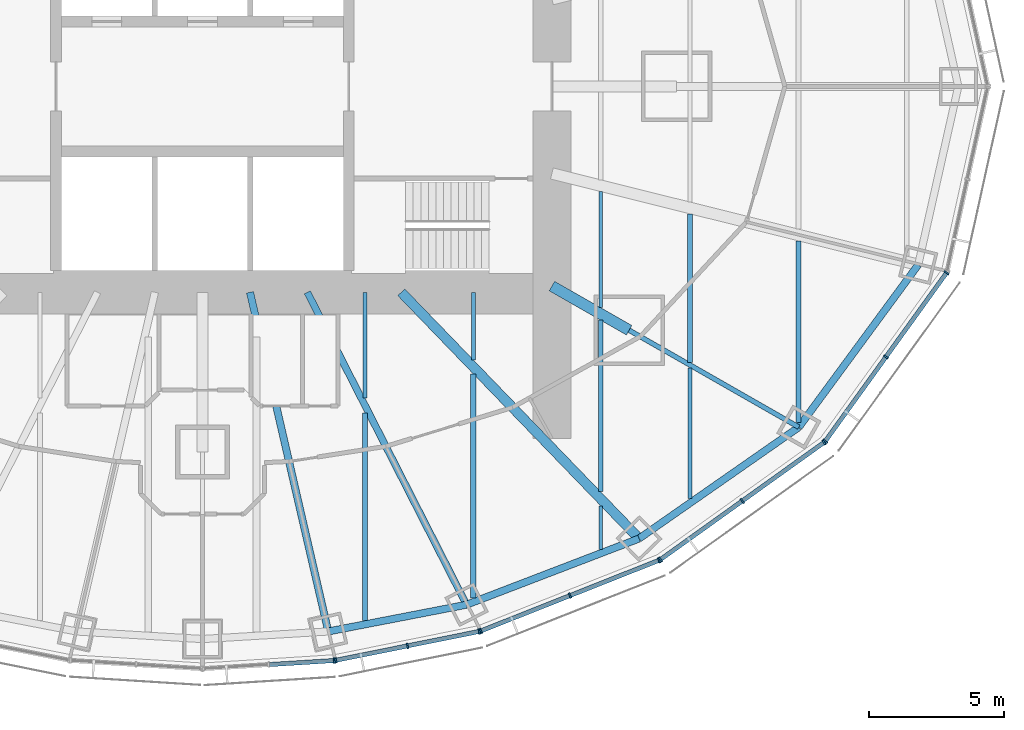
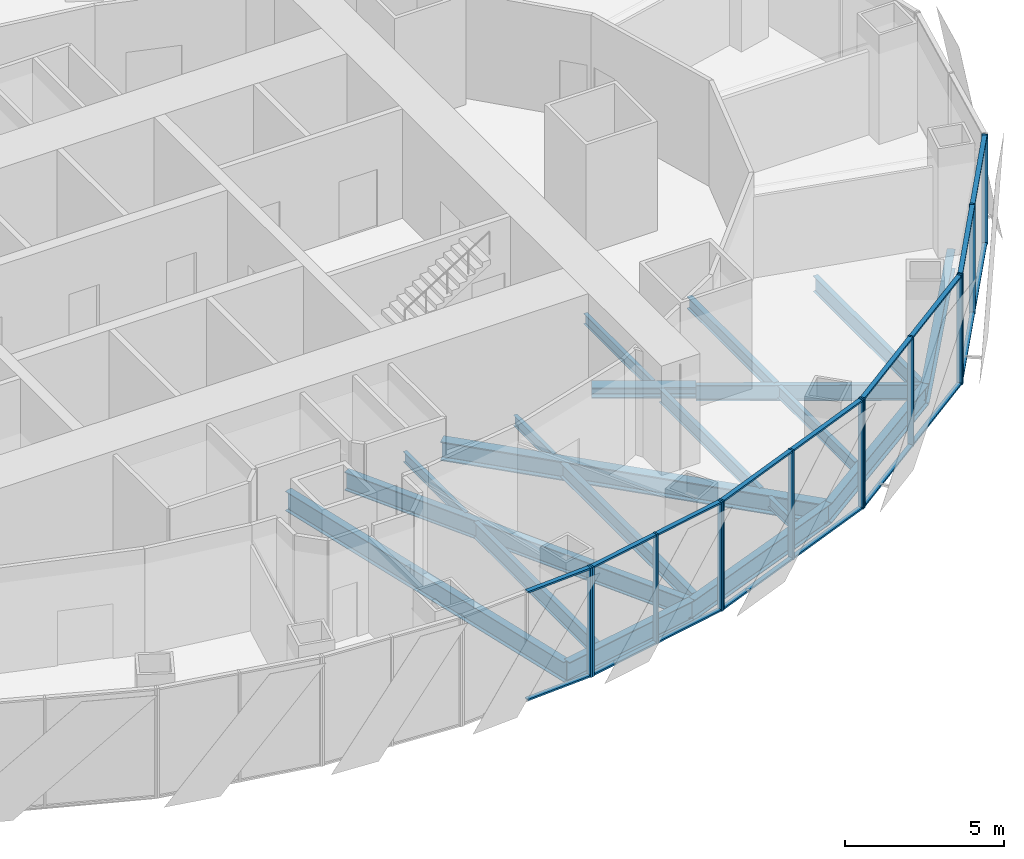
# One storey, part 5 of 17: 31 members, 19 beams, 5 elements without a shape of their own.
"""IFC4 building model written with IfcOpenShell, lengths in metres."""

from ifc_helpers import new_model, si_unit, direction, frame, origin, origin_2d, place, context, subcontext, project, spatial, rectangle, i_section, extrude, material, material_profile, profile_set, type_object, element, aggregate, save


model = new_model("IFC4")

# Units and contexts
model_context = context("Model", 3, precision=1e-05, world=origin(), true_north=direction((0.0, 1.0)))
body_context = subcontext(model_context, "Body", "Model", "MODEL_VIEW")
ifc_project = project(units=[si_unit("LENGTHUNIT", "METRE"), si_unit("AREAUNIT", "SQUARE_METRE"), si_unit("VOLUMEUNIT", "CUBIC_METRE"), si_unit("PLANEANGLEUNIT", "RADIAN"), si_unit("MASSUNIT", "GRAM", prefix="KILO")], contexts=[model_context])

# Site, building, storey
site_placement = place(None, origin())
site = spatial("IfcSite", under=ifc_project, at=site_placement, CompositionType="ELEMENT")
building_placement = place(site_placement, origin())
building = spatial("IfcBuilding", under=site, at=building_placement, Name="Lantaw Convention Tower", CompositionType="ELEMENT")
storey_placement = place(building_placement, frame((0.0, 0.0, 159.39990234375)))
storey = spatial("IfcBuildingStorey", under=building, at=storey_placement, Name="L37", CompositionType="ELEMENT", Elevation=159.39990234375)

# Beams
ifc_material_1 = material(Name="Steel ASTM A992", Category="steel")
ifc_material_profile_1 = material_profile(ifc_material_1, i_section(OverallWidth=0.2666015625, OverallDepth=0.76953125, WebThickness=0.015625, FlangeThickness=0.025390625, FilletRadius=0.0126953125, at=origin_2d()), Name="W30X132")
ifc_profile_set_1 = profile_set([ifc_material_profile_1], Name="Steel ASTM A992")
beam_type_1 = type_object("IfcBeamType", Name="Beam E W30X132", PredefinedType="SPANDREL", material=ifc_profile_set_1)
beam_1_placement = place(storey_placement, frame((4.64501953125, -20.1201171875, -0.53466796875), z_axis=(0.981796805654, 0.189934284446, 0.0), x_axis=(-0.189934284446, 0.981796805654, 0.0)))
element("IfcBeam", 1, at=beam_1_placement, inside=storey, type_object=beam_type_1, Name="Edge beam 20", PredefinedType="SPANDREL", context=body_context, shape_type="SweptSolid", body=[
    extrude(i_section(OverallWidth=0.2666015625, OverallDepth=0.76953125, WebThickness=0.015625, FlangeThickness=0.025390625, FilletRadius=0.0126953125, at=origin_2d()), origin(), (0.0, 0.0, 1.0), 5.1982421875),
])
beam_2_placement = place(storey_placement, frame((9.74853515625, -19.1328125, -0.53466796875), z_axis=(0.933691081977, 0.358079549033, 0.0), x_axis=(-0.358079549033, 0.933691081977, 0.0)))
element("IfcBeam", 2, at=beam_2_placement, inside=storey, type_object=beam_type_1, Name="Edge beam 21", PredefinedType="SPANDREL", context=body_context, shape_type="SweptSolid", body=[
    extrude(i_section(OverallWidth=0.2666015625, OverallDepth=0.76953125, WebThickness=0.015625, FlangeThickness=0.025390625, FilletRadius=0.0126953125, at=origin_2d()), origin(), (0.0, 0.0, 1.0), 6.821533203125),
])
beam_3_placement = place(storey_placement, frame((16.11767578125, -16.690185546875, -0.53466796875), z_axis=(0.820310765287, 0.57191804339, 0.0), x_axis=(-0.57191804339, 0.820310765287, 0.0)))
element("IfcBeam", 3, at=beam_3_placement, inside=storey, type_object=beam_type_1, Name="Edge beam 22", PredefinedType="SPANDREL", context=body_context, shape_type="SweptSolid", body=[
    extrude(i_section(OverallWidth=0.2666015625, OverallDepth=0.76953125, WebThickness=0.015625, FlangeThickness=0.025390625, FilletRadius=0.0126953125, at=origin_2d()), origin(), (0.0, 0.0, 1.0), 7.187744140625),
])
beam_4_placement = place(storey_placement, frame((22.013916015625, -12.579345703125, -0.53466796875), z_axis=(0.5923891972, 0.805651934176, 0.0), x_axis=(-0.805651934176, 0.5923891972, 0.0)))
element("IfcBeam", 4, at=beam_4_placement, inside=storey, type_object=beam_type_1, Name="Edge beam 23", PredefinedType="SPANDREL", context=body_context, shape_type="SweptSolid", body=[
    extrude(i_section(OverallWidth=0.2666015625, OverallDepth=0.76953125, WebThickness=0.015625, FlangeThickness=0.025390625, FilletRadius=0.0126953125, at=origin_2d()), origin(), (0.0, 0.0, 1.0), 7.437744140625),
])
ifc_material_profile_2 = material_profile(ifc_material_1, i_section(OverallWidth=0.177978515625, OverallDepth=0.599365234375, WebThickness=0.010009765625, FlangeThickness=0.012939453125, FilletRadius=0.012939453125, at=origin_2d()), Name="W24X55")
ifc_profile_set_2 = profile_set([ifc_material_profile_2], Name="Steel ASTM A992")
beam_type_2 = type_object("IfcBeamType", Name="Beam G W24X55", PredefinedType="BEAM", material=ifc_profile_set_2)
beam_5_placement = place(storey_placement, frame((15.75, -9.0, -0.44970703125), z_axis=(0.868245224608, -0.496135293993, 0.0), x_axis=(0.496135293993, 0.868245224608, 0.0)))
element("IfcBeam", 5, at=beam_5_placement, inside=storey, type_object=beam_type_2, Name="Floor girder on ray 23", PredefinedType="BEAM", context=body_context, shape_type="SweptSolid", body=[
    extrude(i_section(OverallWidth=0.177978515625, OverallDepth=0.599365234375, WebThickness=0.010009765625, FlangeThickness=0.012939453125, FilletRadius=0.012939453125, at=origin_2d()), origin(), (0.0, 0.0, 1.0), 7.21435546875),
])
ifc_material_profile_3 = material_profile(ifc_material_1, i_section(OverallWidth=0.25390625, OverallDepth=0.700927734375, WebThickness=0.015380859375, FlangeThickness=0.02783203125, FilletRadius=0.01513671875, at=origin_2d()), Name="W27X129")
ifc_profile_set_3 = profile_set([ifc_material_profile_3], Name="Steel ASTM A992")
beam_type_3 = type_object("IfcBeamType", Name="Beam G W27X129", PredefinedType="BEAM", material=ifc_profile_set_3)
beam_6_placement = place(storey_placement, frame((3.872314453125, -7.60009765625, -0.50048828125), z_axis=(0.453991051051, -0.891006243281, 0.0), x_axis=(0.891006243281, 0.453991051051, 0.0)))
element("IfcBeam", 6, at=beam_6_placement, inside=storey, type_object=beam_type_3, Name="Floor girder on ray 21", PredefinedType="BEAM", context=body_context, shape_type="SweptSolid", body=[
    extrude(i_section(OverallWidth=0.25390625, OverallDepth=0.700927734375, WebThickness=0.015380859375, FlangeThickness=0.02783203125, FilletRadius=0.01513671875, at=origin_2d()), origin(), (0.0, 0.0, 1.0), 12.943359375),
])
ifc_material_profile_4 = material_profile(ifc_material_1, i_section(OverallWidth=0.360595703125, OverallDepth=0.72900390625, WebThickness=0.023193359375, FlangeThickness=0.041015625, FilletRadius=0.0126953125, at=origin_2d()), Name="W27X235")
ifc_profile_set_4 = profile_set([ifc_material_profile_4], Name="Steel ASTM A992")
beam_type_4 = type_object("IfcBeamType", Name="Beam G W27X235", PredefinedType="BEAM", material=ifc_profile_set_4)
beam_7_placement = place(storey_placement, frame((7.33935546875, -7.60009765625, -0.514404296875), z_axis=(0.694663467407, -0.719334878239, 0.0), x_axis=(0.719334878239, 0.694663467407, 0.0)))
element("IfcBeam", 7, at=beam_7_placement, inside=storey, type_object=beam_type_4, Name="Floor girder on ray 22", PredefinedType="BEAM", context=body_context, shape_type="SweptSolid", body=[
    extrude(i_section(OverallWidth=0.360595703125, OverallDepth=0.72900390625, WebThickness=0.023193359375, FlangeThickness=0.041015625, FilletRadius=0.0126953125, at=origin_2d()), origin(), (0.0, 0.0, 1.0), 12.63671875),
])
ifc_material_profile_5 = material_profile(ifc_material_1, i_section(OverallWidth=0.2666015625, OverallDepth=0.7568359375, WebThickness=0.013916015625, FlangeThickness=0.019287109375, FilletRadius=0.0126953125, at=origin_2d()), Name="W30X108")
ifc_profile_set_5 = profile_set([ifc_material_profile_5], Name="Steel ASTM A992")
beam_type_5 = type_object("IfcBeamType", Name="Beam G W30X108", PredefinedType="BEAM", material=ifc_profile_set_5)
beam_8_placement = place(storey_placement, frame((1.754638671875, -7.60009765625, -0.5283203125), z_axis=(0.224944153104, -0.974371658036, 0.0), x_axis=(0.974371658036, 0.224944153104, 0.0)))
element("IfcBeam", 8, at=beam_8_placement, inside=storey, type_object=beam_type_5, Name="Floor girder on ray 20", PredefinedType="BEAM", context=body_context, shape_type="SweptSolid", body=[
    extrude(i_section(OverallWidth=0.2666015625, OverallDepth=0.7568359375, WebThickness=0.013916015625, FlangeThickness=0.019287109375, FilletRadius=0.0126953125, at=origin_2d()), origin(), (0.0, 0.0, 1.0), 12.849365234375),
])
ifc_material_profile_6 = material_profile(ifc_material_1, i_section(OverallWidth=0.40380859375, OverallDepth=0.406494140625, WebThickness=0.027099609375, FlangeThickness=0.043701171875, FilletRadius=0.01513671875, at=origin_2d()), Name="W14X233")
ifc_profile_set_6 = profile_set([ifc_material_profile_6], Name="Steel ASTM A992")
beam_type_6 = type_object("IfcBeamType", Name="Beam GM W14X233", PredefinedType="BEAM", material=ifc_profile_set_6)
beam_9_placement = place(storey_placement, frame((12.89990234375, -7.371337890625, -0.35302734375), z_axis=(0.868238565244, -0.496146947811, 0.0), x_axis=(0.496146947811, 0.868238565244, 0.0)))
element("IfcBeam", 9, at=beam_9_placement, inside=storey, type_object=beam_type_6, Name="Core link beam on ray 23", PredefinedType="BEAM", context=body_context, shape_type="SweptSolid", body=[
    extrude(i_section(OverallWidth=0.40380859375, OverallDepth=0.406494140625, WebThickness=0.027099609375, FlangeThickness=0.043701171875, FilletRadius=0.01513671875, at=origin_2d()), origin(), (0.0, 0.0, 1.0), 3.28271484375),
])
ifc_material_profile_7 = material_profile(ifc_material_1, i_section(OverallWidth=0.140380859375, OverallDepth=0.40380859375, WebThickness=0.007080078125, FlangeThickness=0.01123046875, FilletRadius=0.01025390625, at=origin_2d()), Name="W16X31")
ifc_profile_set_7 = profile_set([ifc_material_profile_7], Name="Steel ASTM A992")
beam_type_7 = type_object("IfcBeamType", Name="Beam J W16X31", PredefinedType="JOIST", material=ifc_profile_set_7)
beam_10_placement = place(storey_placement, frame((6.0, -11.495849609375, -0.351806640625), z_axis=(0.0, 1.0, 0.0), x_axis=(-1.0, 0.0, 0.0)))
element("IfcBeam", 10, at=beam_10_placement, inside=storey, type_object=beam_type_7, Name="Floor joist", PredefinedType="JOIST", context=body_context, shape_type="SweptSolid", body=[
    extrude(i_section(OverallWidth=0.140380859375, OverallDepth=0.40380859375, WebThickness=0.007080078125, FlangeThickness=0.01123046875, FilletRadius=0.01025390625, at=origin_2d()), origin(), (0.0, 0.0, 1.0), 3.895751953125),
])
beam_11_placement = place(storey_placement, frame((10.0, -10.095703125, -0.351806640625), z_axis=(0.0, 1.0, 0.0), x_axis=(-1.0, 0.0, 0.0)))
element("IfcBeam", 11, at=beam_11_placement, inside=storey, type_object=beam_type_7, Name="Floor joist", PredefinedType="JOIST", context=body_context, shape_type="SweptSolid", body=[
    extrude(i_section(OverallWidth=0.140380859375, OverallDepth=0.40380859375, WebThickness=0.007080078125, FlangeThickness=0.01123046875, FilletRadius=0.01025390625, at=origin_2d()), origin(), (0.0, 0.0, 1.0), 2.49560546875),
])
beam_12_placement = place(storey_placement, frame((14.699951171875, -17.091064453125, -0.351806640625), z_axis=(0.0, 1.0, 0.0), x_axis=(-1.0, 0.0, 0.0)))
element("IfcBeam", 12, at=beam_12_placement, inside=storey, type_object=beam_type_7, Name="Floor joist", PredefinedType="JOIST", context=body_context, shape_type="SweptSolid", body=[
    extrude(i_section(OverallWidth=0.140380859375, OverallDepth=0.40380859375, WebThickness=0.007080078125, FlangeThickness=0.01123046875, FilletRadius=0.01025390625, at=origin_2d()), origin(), (0.0, 0.0, 1.0), 1.609130859375),
])
beam_13_placement = place(storey_placement, frame((14.699951171875, -8.16748046875, -0.351806640625), z_axis=(0.0, 1.0, 0.0), x_axis=(-1.0, 0.0, 0.0)))
element("IfcBeam", 13, at=beam_13_placement, inside=storey, type_object=beam_type_7, Name="Floor joist", PredefinedType="JOIST", context=body_context, shape_type="SweptSolid", body=[
    extrude(i_section(OverallWidth=0.140380859375, OverallDepth=0.40380859375, WebThickness=0.007080078125, FlangeThickness=0.01123046875, FilletRadius=0.01025390625, at=origin_2d()), origin(), (0.0, 0.0, 1.0), 4.28515625),
])
ifc_material_profile_8 = material_profile(ifc_material_1, i_section(OverallWidth=0.15234375, OverallDepth=0.449462890625, WebThickness=0.007568359375, FlangeThickness=0.0107421875, FilletRadius=0.01025390625, at=origin_2d()), Name="W18X35")
ifc_profile_set_8 = profile_set([ifc_material_profile_8], Name="Steel ASTM A992")
beam_type_8 = type_object("IfcBeamType", Name="Beam J W18X35", PredefinedType="JOIST", material=ifc_profile_set_8)
beam_14_placement = place(storey_placement, frame((18.0, -15.21533203125, -0.374755859375), z_axis=(0.0, 1.0, 0.0), x_axis=(-1.0, 0.0, 0.0)))
element("IfcBeam", 14, at=beam_14_placement, inside=storey, type_object=beam_type_8, Name="Floor joist", PredefinedType="JOIST", context=body_context, shape_type="SweptSolid", body=[
    extrude(i_section(OverallWidth=0.15234375, OverallDepth=0.449462890625, WebThickness=0.007568359375, FlangeThickness=0.0107421875, FilletRadius=0.01025390625, at=origin_2d()), origin(), (0.0, 0.0, 1.0), 4.8271484375),
])
ifc_material_profile_9 = material_profile(ifc_material_1, i_section(OverallWidth=0.1904296875, OverallDepth=0.457275390625, WebThickness=0.009033203125, FlangeThickness=0.014404296875, FilletRadius=0.01025390625, at=origin_2d()), Name="W18X50")
ifc_profile_set_9 = profile_set([ifc_material_profile_9], Name="Steel ASTM A992")
beam_type_9 = type_object("IfcBeamType", Name="Beam J W18X50", PredefinedType="JOIST", material=ifc_profile_set_9)
beam_15_placement = place(storey_placement, frame((18.0, -10.18310546875, -0.37841796875), z_axis=(0.0, 1.0, 0.0), x_axis=(-1.0, 0.0, 0.0)))
element("IfcBeam", 15, at=beam_15_placement, inside=storey, type_object=beam_type_9, Name="Floor joist", PredefinedType="JOIST", context=body_context, shape_type="SweptSolid", body=[
    extrude(i_section(OverallWidth=0.1904296875, OverallDepth=0.457275390625, WebThickness=0.009033203125, FlangeThickness=0.014404296875, FilletRadius=0.01025390625, at=origin_2d()), origin(), (0.0, 0.0, 1.0), 5.47802734375),
])
ifc_material_profile_10 = material_profile(ifc_material_1, i_section(OverallWidth=0.1650390625, OverallDepth=0.52587890625, WebThickness=0.0087890625, FlangeThickness=0.011474609375, FilletRadius=0.0126953125, at=origin_2d()), Name="W21X44")
ifc_profile_set_10 = profile_set([ifc_material_profile_10], Name="Steel ASTM A992")
beam_type_10 = type_object("IfcBeamType", Name="Beam J W21X44", PredefinedType="JOIST", material=ifc_profile_set_10)
beam_16_placement = place(storey_placement, frame((14.699951171875, -14.962646484375, -0.412841796875), z_axis=(0.0, 1.0, 0.0), x_axis=(-1.0, 0.0, 0.0)))
element("IfcBeam", 16, at=beam_16_placement, inside=storey, type_object=beam_type_10, Name="Floor joist", PredefinedType="JOIST", context=body_context, shape_type="SweptSolid", body=[
    extrude(i_section(OverallWidth=0.1650390625, OverallDepth=0.52587890625, WebThickness=0.0087890625, FlangeThickness=0.011474609375, FilletRadius=0.0126953125, at=origin_2d()), origin(), (0.0, 0.0, 1.0), 6.330078125),
])
ifc_material_profile_11 = material_profile(ifc_material_1, i_section(OverallWidth=0.2099609375, OverallDepth=0.535888671875, WebThickness=0.010986328125, FlangeThickness=0.017333984375, FilletRadius=0.012939453125, at=origin_2d()), Name="W21X68")
ifc_profile_set_11 = profile_set([ifc_material_profile_11], Name="Steel ASTM A992")
beam_type_11 = type_object("IfcBeamType", Name="Beam J W21X68", PredefinedType="JOIST", material=ifc_profile_set_11)
beam_17_placement = place(storey_placement, frame((10.0, -18.8935546875, -0.41796875), z_axis=(0.0, 1.0, 0.0), x_axis=(-1.0, 0.0, 0.0)))
element("IfcBeam", 17, at=beam_17_placement, inside=storey, type_object=beam_type_11, Name="Floor joist", PredefinedType="JOIST", context=body_context, shape_type="SweptSolid", body=[
    extrude(i_section(OverallWidth=0.2099609375, OverallDepth=0.535888671875, WebThickness=0.010986328125, FlangeThickness=0.017333984375, FilletRadius=0.012939453125, at=origin_2d()), origin(), (0.0, 0.0, 1.0), 8.278564453125),
])
ifc_material_profile_12 = material_profile(ifc_material_1, i_section(OverallWidth=0.177978515625, OverallDepth=0.599365234375, WebThickness=0.010009765625, FlangeThickness=0.012939453125, FilletRadius=0.012939453125, at=origin_2d()), Name="W24X55")
ifc_profile_set_12 = profile_set([ifc_material_profile_12], Name="Steel ASTM A992")
beam_type_12 = type_object("IfcBeamType", Name="Beam J W24X55", PredefinedType="JOIST", material=ifc_profile_set_12)
beam_18_placement = place(storey_placement, frame((6.0, -19.72216796875, -0.44970703125), z_axis=(0.0, 1.0, 0.0), x_axis=(-1.0, 0.0, 0.0)))
element("IfcBeam", 18, at=beam_18_placement, inside=storey, type_object=beam_type_12, Name="Floor joist", PredefinedType="JOIST", context=body_context, shape_type="SweptSolid", body=[
    extrude(i_section(OverallWidth=0.177978515625, OverallDepth=0.599365234375, WebThickness=0.010009765625, FlangeThickness=0.012939453125, FilletRadius=0.012939453125, at=origin_2d()), origin(), (0.0, 0.0, 1.0), 7.666748046875),
])
beam_19_placement = place(storey_placement, frame((22.0, -12.408935546875, -0.44970703125), z_axis=(0.0, 1.0, 0.0), x_axis=(-1.0, 0.0, 0.0)))
element("IfcBeam", 19, at=beam_19_placement, inside=storey, type_object=beam_type_12, Name="Floor joist", PredefinedType="JOIST", context=body_context, shape_type="SweptSolid", body=[
    extrude(i_section(OverallWidth=0.177978515625, OverallDepth=0.599365234375, WebThickness=0.010009765625, FlangeThickness=0.012939453125, FilletRadius=0.012939453125, at=origin_2d()), origin(), (0.0, 0.0, 1.0), 6.70654296875),
])

# Curtain wall, member
ifc_material_2 = material(Name="Aluminium framed curtain wall", Category="aluminium")
curtain_wall_type = type_object("IfcCurtainWallType", Name="Office curtain wall low rise, pale aluminium", PredefinedType="USERDEFINED", material=ifc_material_2)
curtain_wall_1_placement = place(storey_placement, origin())
curtain_wall_1 = element("IfcCurtainWall", 20, at=curtain_wall_1_placement, inside=storey, type_object=curtain_wall_type, Name="Office curtain wall low rise, pale aluminium L37", ObjectType="UNITISED CURTAIN WALL", PredefinedType="USERDEFINED")
ifc_material_3 = material(Name="Aluminium 6063-T6", Category="aluminium")
ifc_material_profile_13 = material_profile(ifc_material_3, rectangle(XDim=0.199951171875, YDim=0.06494140625, at=origin_2d()), Name="CW-O1 mullion 65x200")
ifc_profile_set_13 = profile_set([ifc_material_profile_13], Name="Aluminium 6063-T6")
member_type_1 = type_object("IfcMemberType", Name="CW-O1 mullion 65x200", PredefinedType="MULLION", material=ifc_profile_set_13)
member_1_placement = place(storey_placement, frame((4.860107421875, -21.19384765625, -0.14990234375), z_axis=(0.0, 0.0, 1.0), x_axis=(-0.062865059466, 0.998022035978, 0.0)))
member_1 = element("IfcMember", 21, at=member_1_placement, type_object=member_type_1, Name="CW-O1 mullion 3", PredefinedType="MULLION", context=body_context, shape_type="SweptSolid", body=[
    extrude(rectangle(XDim=0.199951171875, YDim=0.06494140625, at=origin_2d()), origin(), (0.0, 0.0, 1.0), 4.199951171875),
])

# Curtain wall, members
curtain_wall_2_placement = place(storey_placement, origin())
curtain_wall_2 = element("IfcCurtainWall", 22, at=curtain_wall_2_placement, inside=storey, type_object=curtain_wall_type, Name="Office curtain wall low rise, pale aluminium L37", ObjectType="UNITISED CURTAIN WALL", PredefinedType="USERDEFINED")
member_2_placement = place(storey_placement, frame((4.92431640625, -21.185302734375, -0.14990234375), z_axis=(0.0, 0.0, 1.0), x_axis=(-0.197506809659, 0.980301514912, 0.0)))
member_2 = element("IfcMember", 23, at=member_2_placement, type_object=member_type_1, Name="CW-O1 mullion 1", PredefinedType="MULLION", context=body_context, shape_type="SweptSolid", body=[
    extrude(rectangle(XDim=0.199951171875, YDim=0.06494140625, at=origin_2d()), origin(), (0.0, 0.0, 1.0), 4.199951171875),
])
member_3_placement = place(storey_placement, frame((7.5703125, -20.65234375, -0.14990234375), z_axis=(0.0, 0.0, 1.0), x_axis=(-0.197506809659, 0.980301514912, 0.0)))
member_3 = element("IfcMember", 24, at=member_3_placement, type_object=member_type_1, Name="CW-O1 mullion 2", PredefinedType="MULLION", context=body_context, shape_type="SweptSolid", body=[
    extrude(rectangle(XDim=0.199951171875, YDim=0.06494140625, at=origin_2d()), origin(), (0.0, 0.0, 1.0), 4.199951171875),
])
member_4_placement = place(storey_placement, frame((10.216064453125, -20.119140625, -0.14990234375), z_axis=(0.0, 0.0, 1.0), x_axis=(-0.197506809659, 0.980301514912, 0.0)))
member_4 = element("IfcMember", 25, at=member_4_placement, type_object=member_type_1, Name="CW-O1 mullion 3", PredefinedType="MULLION", context=body_context, shape_type="SweptSolid", body=[
    extrude(rectangle(XDim=0.199951171875, YDim=0.06494140625, at=origin_2d()), origin(), (0.0, 0.0, 1.0), 4.199951171875),
])

curtain_wall_3_placement = place(storey_placement, origin())
curtain_wall_3 = element("IfcCurtainWall", 26, at=curtain_wall_3_placement, inside=storey, type_object=curtain_wall_type, Name="Office curtain wall low rise, pale aluminium L37", ObjectType="UNITISED CURTAIN WALL", PredefinedType="USERDEFINED")
member_5_placement = place(storey_placement, frame((10.2783203125, -20.100830078125, -0.14990234375), z_axis=(0.0, 0.0, 1.0), x_axis=(-0.368701907483, 0.929547687544, 0.0)))
member_5 = element("IfcMember", 27, at=member_5_placement, type_object=member_type_1, Name="CW-O1 mullion 1", PredefinedType="MULLION", context=body_context, shape_type="SweptSolid", body=[
    extrude(rectangle(XDim=0.199951171875, YDim=0.06494140625, at=origin_2d()), origin(), (0.0, 0.0, 1.0), 4.199951171875),
])
member_6_placement = place(storey_placement, frame((13.56494140625, -18.797119140625, -0.14990234375), z_axis=(0.0, 0.0, 1.0), x_axis=(-0.368701907483, 0.929547687544, 0.0)))
member_6 = element("IfcMember", 28, at=member_6_placement, type_object=member_type_1, Name="CW-O1 mullion 2", PredefinedType="MULLION", context=body_context, shape_type="SweptSolid", body=[
    extrude(rectangle(XDim=0.199951171875, YDim=0.06494140625, at=origin_2d()), origin(), (0.0, 0.0, 1.0), 4.199951171875),
])
member_7_placement = place(storey_placement, frame((16.8515625, -17.49365234375, -0.14990234375), z_axis=(0.0, 0.0, 1.0), x_axis=(-0.368701907483, 0.929547687544, 0.0)))
member_7 = element("IfcMember", 29, at=member_7_placement, type_object=member_type_1, Name="CW-O1 mullion 3", PredefinedType="MULLION", context=body_context, shape_type="SweptSolid", body=[
    extrude(rectangle(XDim=0.199951171875, YDim=0.06494140625, at=origin_2d()), origin(), (0.0, 0.0, 1.0), 4.199951171875),
])

curtain_wall_4_placement = place(storey_placement, origin())
curtain_wall_4 = element("IfcCurtainWall", 30, at=curtain_wall_4_placement, inside=storey, type_object=curtain_wall_type, Name="Office curtain wall low rise, pale aluminium L37", ObjectType="UNITISED CURTAIN WALL", PredefinedType="USERDEFINED")
member_8_placement = place(storey_placement, frame((16.908203125, -17.462646484375, -0.14990234375), z_axis=(0.0, 0.0, 1.0), x_axis=(-0.581972695693, 0.813208325995, 0.0)))
member_8 = element("IfcMember", 31, at=member_8_placement, type_object=member_type_1, Name="CW-O1 mullion 1", PredefinedType="MULLION", context=body_context, shape_type="SweptSolid", body=[
    extrude(rectangle(XDim=0.199951171875, YDim=0.06494140625, at=origin_2d()), origin(), (0.0, 0.0, 1.0), 4.199951171875),
])
member_9_placement = place(storey_placement, frame((19.92529296875, -15.303466796875, -0.14990234375), z_axis=(0.0, 0.0, 1.0), x_axis=(-0.581972695693, 0.813208325995, 0.0)))
member_9 = element("IfcMember", 32, at=member_9_placement, type_object=member_type_1, Name="CW-O1 mullion 2", PredefinedType="MULLION", context=body_context, shape_type="SweptSolid", body=[
    extrude(rectangle(XDim=0.199951171875, YDim=0.06494140625, at=origin_2d()), origin(), (0.0, 0.0, 1.0), 4.199951171875),
])
member_10_placement = place(storey_placement, frame((22.942626953125, -13.14404296875, -0.14990234375), z_axis=(0.0, 0.0, 1.0), x_axis=(-0.581972695693, 0.813208325995, 0.0)))
member_10 = element("IfcMember", 33, at=member_10_placement, type_object=member_type_1, Name="CW-O1 mullion 3", PredefinedType="MULLION", context=body_context, shape_type="SweptSolid", body=[
    extrude(rectangle(XDim=0.199951171875, YDim=0.06494140625, at=origin_2d()), origin(), (0.0, 0.0, 1.0), 4.199951171875),
])

curtain_wall_5_placement = place(storey_placement, origin())
curtain_wall_5 = element("IfcCurtainWall", 34, at=curtain_wall_5_placement, inside=storey, type_object=curtain_wall_type, Name="Office curtain wall low rise, pale aluminium L37", ObjectType="UNITISED CURTAIN WALL", PredefinedType="USERDEFINED")
member_11_placement = place(storey_placement, frame((22.988037109375, -13.098876953125, -0.14990234375), z_axis=(0.0, 0.0, 1.0), x_axis=(-0.811384633629, 0.584512597221, 0.0)))
member_11 = element("IfcMember", 35, at=member_11_placement, type_object=member_type_1, Name="CW-O1 mullion 1", PredefinedType="MULLION", context=body_context, shape_type="SweptSolid", body=[
    extrude(rectangle(XDim=0.199951171875, YDim=0.06494140625, at=origin_2d()), origin(), (0.0, 0.0, 1.0), 4.199951171875),
])
member_12_placement = place(storey_placement, frame((25.22802734375, -9.9892578125, -0.14990234375), z_axis=(0.0, 0.0, 1.0), x_axis=(-0.811384633629, 0.584512597221, 0.0)))
member_12 = element("IfcMember", 36, at=member_12_placement, type_object=member_type_1, Name="CW-O1 mullion 2", PredefinedType="MULLION", context=body_context, shape_type="SweptSolid", body=[
    extrude(rectangle(XDim=0.199951171875, YDim=0.06494140625, at=origin_2d()), origin(), (0.0, 0.0, 1.0), 4.199951171875),
])
member_13_placement = place(storey_placement, frame((27.46826171875, -6.879638671875, -0.14990234375), z_axis=(0.0, 0.0, 1.0), x_axis=(-0.811384633629, 0.584512597221, 0.0)))
member_13 = element("IfcMember", 37, at=member_13_placement, type_object=member_type_1, Name="CW-O1 mullion 3", PredefinedType="MULLION", context=body_context, shape_type="SweptSolid", body=[
    extrude(rectangle(XDim=0.199951171875, YDim=0.06494140625, at=origin_2d()), origin(), (0.0, 0.0, 1.0), 4.199951171875),
])

# Member
ifc_material_profile_14 = material_profile(ifc_material_3, rectangle(XDim=0.159912109375, YDim=0.06494140625, at=origin_2d()), Name="CW-O1 transom 65x160")
ifc_profile_set_14 = profile_set([ifc_material_profile_14], Name="Aluminium 6063-T6")
member_type_2 = type_object("IfcMemberType", Name="CW-O1 transom 65x160", PredefinedType="USERDEFINED", material=ifc_profile_set_14)
member_14_placement = place(storey_placement, frame((2.478759765625, -21.34375, -0.117431640625), z_axis=(0.998022188463, 0.062862638625, 0.0), x_axis=(-0.062862638625, 0.998022188463, 0.0)))
member_14 = element("IfcMember", 38, at=member_14_placement, type_object=member_type_2, Name="CW-O1 transom 2.1", ObjectType="TRANSOM", PredefinedType="USERDEFINED", context=body_context, shape_type="SweptSolid", body=[
    extrude(rectangle(XDim=0.159912109375, YDim=0.06494140625, at=origin_2d()), origin(), (0.0, 0.0, 1.0), 2.353515625),
])

member_15_placement = place(storey_placement, frame((2.478759765625, -21.34375, 4.017578125), z_axis=(0.998022188463, 0.062862638625, 0.0), x_axis=(-0.062862638625, 0.998022188463, 0.0)))
member_15 = element("IfcMember", 39, at=member_15_placement, type_object=member_type_2, Name="CW-O1 transom 2.2", ObjectType="TRANSOM", PredefinedType="USERDEFINED", context=body_context, shape_type="SweptSolid", body=[
    extrude(rectangle(XDim=0.159912109375, YDim=0.06494140625, at=origin_2d()), origin(), (0.0, 0.0, 1.0), 2.353515625),
])

aggregate(curtain_wall_1, [member_1, member_14, member_15])

member_16_placement = place(storey_placement, frame((4.956298828125, -21.178955078125, -0.117431640625), z_axis=(0.980298027092, 0.197524120247, 0.0), x_axis=(-0.197524120247, 0.980298027092, 0.0)))
member_16 = element("IfcMember", 40, at=member_16_placement, type_object=member_type_2, Name="CW-O1 transom 1.1", ObjectType="TRANSOM", PredefinedType="USERDEFINED", context=body_context, shape_type="SweptSolid", body=[
    extrude(rectangle(XDim=0.159912109375, YDim=0.06494140625, at=origin_2d()), origin(), (0.0, 0.0, 1.0), 2.634033203125),
])

member_17_placement = place(storey_placement, frame((4.956298828125, -21.178955078125, 4.017578125), z_axis=(0.980298027092, 0.197524120247, 0.0), x_axis=(-0.197524120247, 0.980298027092, 0.0)))
member_17 = element("IfcMember", 41, at=member_17_placement, type_object=member_type_2, Name="CW-O1 transom 1.2", ObjectType="TRANSOM", PredefinedType="USERDEFINED", context=body_context, shape_type="SweptSolid", body=[
    extrude(rectangle(XDim=0.159912109375, YDim=0.06494140625, at=origin_2d()), origin(), (0.0, 0.0, 1.0), 2.634033203125),
])

member_18_placement = place(storey_placement, frame((7.60205078125, -20.64599609375, -0.117431640625), z_axis=(0.980301643003, 0.197506173891, 0.0), x_axis=(-0.197506173891, 0.980301643003, 0.0)))
member_18 = element("IfcMember", 42, at=member_18_placement, type_object=member_type_2, Name="CW-O1 transom 2.1", ObjectType="TRANSOM", PredefinedType="USERDEFINED", context=body_context, shape_type="SweptSolid", body=[
    extrude(rectangle(XDim=0.159912109375, YDim=0.06494140625, at=origin_2d()), origin(), (0.0, 0.0, 1.0), 2.63427734375),
])

member_19_placement = place(storey_placement, frame((7.60205078125, -20.64599609375, 4.017578125), z_axis=(0.980301643003, 0.197506173891, 0.0), x_axis=(-0.197506173891, 0.980301643003, 0.0)))
member_19 = element("IfcMember", 43, at=member_19_placement, type_object=member_type_2, Name="CW-O1 transom 2.2", ObjectType="TRANSOM", PredefinedType="USERDEFINED", context=body_context, shape_type="SweptSolid", body=[
    extrude(rectangle(XDim=0.159912109375, YDim=0.06494140625, at=origin_2d()), origin(), (0.0, 0.0, 1.0), 2.63427734375),
])

aggregate(curtain_wall_2, [member_2, member_3, member_4, member_16, member_17, member_18, member_19])

member_20_placement = place(storey_placement, frame((10.308349609375, -20.0888671875, -0.117431640625), z_axis=(0.929540081544, 0.368721082668, 0.0), x_axis=(-0.368721082668, 0.929540081544, 0.0)))
member_20 = element("IfcMember", 44, at=member_20_placement, type_object=member_type_2, Name="CW-O1 transom 1.1", ObjectType="TRANSOM", PredefinedType="USERDEFINED", context=body_context, shape_type="SweptSolid", body=[
    extrude(rectangle(XDim=0.159912109375, YDim=0.06494140625, at=origin_2d()), origin(), (0.0, 0.0, 1.0), 3.470947265625),
])

member_21_placement = place(storey_placement, frame((10.308349609375, -20.0888671875, 4.017578125), z_axis=(0.929540081544, 0.368721082668, 0.0), x_axis=(-0.368721082668, 0.929540081544, 0.0)))
member_21 = element("IfcMember", 45, at=member_21_placement, type_object=member_type_2, Name="CW-O1 transom 1.2", ObjectType="TRANSOM", PredefinedType="USERDEFINED", context=body_context, shape_type="SweptSolid", body=[
    extrude(rectangle(XDim=0.159912109375, YDim=0.06494140625, at=origin_2d()), origin(), (0.0, 0.0, 1.0), 3.470947265625),
])

member_22_placement = place(storey_placement, frame((13.594970703125, -18.78515625, -0.117431640625), z_axis=(0.929564188507, 0.368660303592, 0.0), x_axis=(-0.368660303592, 0.929564188507, 0.0)))
member_22 = element("IfcMember", 46, at=member_22_placement, type_object=member_type_2, Name="CW-O1 transom 2.1", ObjectType="TRANSOM", PredefinedType="USERDEFINED", context=body_context, shape_type="SweptSolid", body=[
    extrude(rectangle(XDim=0.159912109375, YDim=0.06494140625, at=origin_2d()), origin(), (0.0, 0.0, 1.0), 3.470703125),
])

member_23_placement = place(storey_placement, frame((13.594970703125, -18.78515625, 4.017578125), z_axis=(0.929564188507, 0.368660303592, 0.0), x_axis=(-0.368660303592, 0.929564188507, 0.0)))
member_23 = element("IfcMember", 47, at=member_23_placement, type_object=member_type_2, Name="CW-O1 transom 2.2", ObjectType="TRANSOM", PredefinedType="USERDEFINED", context=body_context, shape_type="SweptSolid", body=[
    extrude(rectangle(XDim=0.159912109375, YDim=0.06494140625, at=origin_2d()), origin(), (0.0, 0.0, 1.0), 3.470703125),
])

aggregate(curtain_wall_3, [member_5, member_6, member_7, member_20, member_21, member_22, member_23])

member_24_placement = place(storey_placement, frame((16.9345703125, -17.44384765625, -0.117431640625), z_axis=(0.813190089133, 0.581998177777, 0.0), x_axis=(-0.581998177777, 0.813190089133, 0.0)))
member_24 = element("IfcMember", 48, at=member_24_placement, type_object=member_type_2, Name="CW-O1 transom 1.1", ObjectType="TRANSOM", PredefinedType="USERDEFINED", context=body_context, shape_type="SweptSolid", body=[
    extrude(rectangle(XDim=0.159912109375, YDim=0.06494140625, at=origin_2d()), origin(), (0.0, 0.0, 1.0), 3.645263671875),
])

member_25_placement = place(storey_placement, frame((16.9345703125, -17.44384765625, 4.017578125), z_axis=(0.813190089133, 0.581998177777, 0.0), x_axis=(-0.581998177777, 0.813190089133, 0.0)))
member_25 = element("IfcMember", 49, at=member_25_placement, type_object=member_type_2, Name="CW-O1 transom 1.2", ObjectType="TRANSOM", PredefinedType="USERDEFINED", context=body_context, shape_type="SweptSolid", body=[
    extrude(rectangle(XDim=0.159912109375, YDim=0.06494140625, at=origin_2d()), origin(), (0.0, 0.0, 1.0), 3.645263671875),
])

member_26_placement = place(storey_placement, frame((19.951904296875, -15.284423828125, -0.117431640625), z_axis=(0.813221785972, 0.581953887194, 0.0), x_axis=(-0.581953887194, 0.813221785972, 0.0)))
member_26 = element("IfcMember", 50, at=member_26_placement, type_object=member_type_2, Name="CW-O1 transom 2.1", ObjectType="TRANSOM", PredefinedType="USERDEFINED", context=body_context, shape_type="SweptSolid", body=[
    extrude(rectangle(XDim=0.159912109375, YDim=0.06494140625, at=origin_2d()), origin(), (0.0, 0.0, 1.0), 3.645263671875),
])

member_27_placement = place(storey_placement, frame((19.951904296875, -15.284423828125, 4.017578125), z_axis=(0.813221785972, 0.581953887194, 0.0), x_axis=(-0.581953887194, 0.813221785972, 0.0)))
member_27 = element("IfcMember", 51, at=member_27_placement, type_object=member_type_2, Name="CW-O1 transom 2.2", ObjectType="TRANSOM", PredefinedType="USERDEFINED", context=body_context, shape_type="SweptSolid", body=[
    extrude(rectangle(XDim=0.159912109375, YDim=0.06494140625, at=origin_2d()), origin(), (0.0, 0.0, 1.0), 3.645263671875),
])

aggregate(curtain_wall_4, [member_8, member_9, member_10, member_24, member_25, member_26, member_27])

member_28_placement = place(storey_placement, frame((23.007080078125, -13.072509765625, -0.117431640625), z_axis=(0.584512973979, 0.811384362217, 0.0), x_axis=(-0.811384362217, 0.584512973979, 0.0)))
member_28 = element("IfcMember", 52, at=member_28_placement, type_object=member_type_2, Name="CW-O1 transom 1.1", ObjectType="TRANSOM", PredefinedType="USERDEFINED", context=body_context, shape_type="SweptSolid", body=[
    extrude(rectangle(XDim=0.159912109375, YDim=0.06494140625, at=origin_2d()), origin(), (0.0, 0.0, 1.0), 3.767578125),
])

member_29_placement = place(storey_placement, frame((23.007080078125, -13.072509765625, 4.017578125), z_axis=(0.584512973979, 0.811384362217, 0.0), x_axis=(-0.811384362217, 0.584512973979, 0.0)))
member_29 = element("IfcMember", 53, at=member_29_placement, type_object=member_type_2, Name="CW-O1 transom 1.2", ObjectType="TRANSOM", PredefinedType="USERDEFINED", context=body_context, shape_type="SweptSolid", body=[
    extrude(rectangle(XDim=0.159912109375, YDim=0.06494140625, at=origin_2d()), origin(), (0.0, 0.0, 1.0), 3.767578125),
])

member_30_placement = place(storey_placement, frame((25.2470703125, -9.962890625, -0.117431640625), z_axis=(0.584512973979, 0.811384362217, 0.0), x_axis=(-0.811384362217, 0.584512973979, 0.0)))
member_30 = element("IfcMember", 54, at=member_30_placement, type_object=member_type_2, Name="CW-O1 transom 2.1", ObjectType="TRANSOM", PredefinedType="USERDEFINED", context=body_context, shape_type="SweptSolid", body=[
    extrude(rectangle(XDim=0.159912109375, YDim=0.06494140625, at=origin_2d()), origin(), (0.0, 0.0, 1.0), 3.767578125),
])

member_31_placement = place(storey_placement, frame((25.2470703125, -9.962890625, 4.017578125), z_axis=(0.584512973979, 0.811384362217, 0.0), x_axis=(-0.811384362217, 0.584512973979, 0.0)))
member_31 = element("IfcMember", 55, at=member_31_placement, type_object=member_type_2, Name="CW-O1 transom 2.2", ObjectType="TRANSOM", PredefinedType="USERDEFINED", context=body_context, shape_type="SweptSolid", body=[
    extrude(rectangle(XDim=0.159912109375, YDim=0.06494140625, at=origin_2d()), origin(), (0.0, 0.0, 1.0), 3.767578125),
])

aggregate(curtain_wall_5, [member_11, member_12, member_13, member_28, member_29, member_30, member_31])

save(model, "model.ifc")
